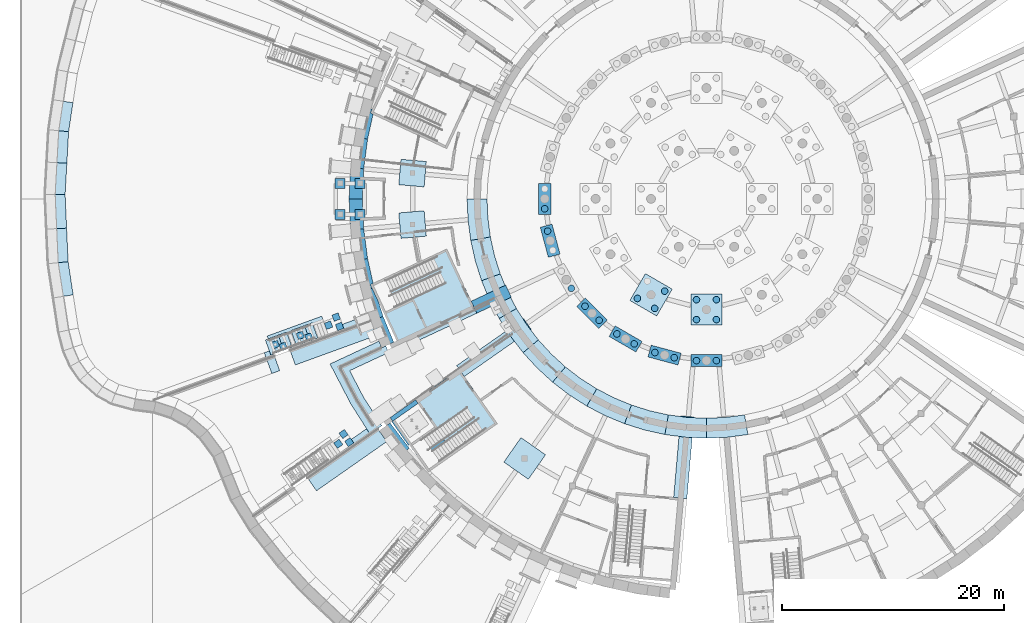
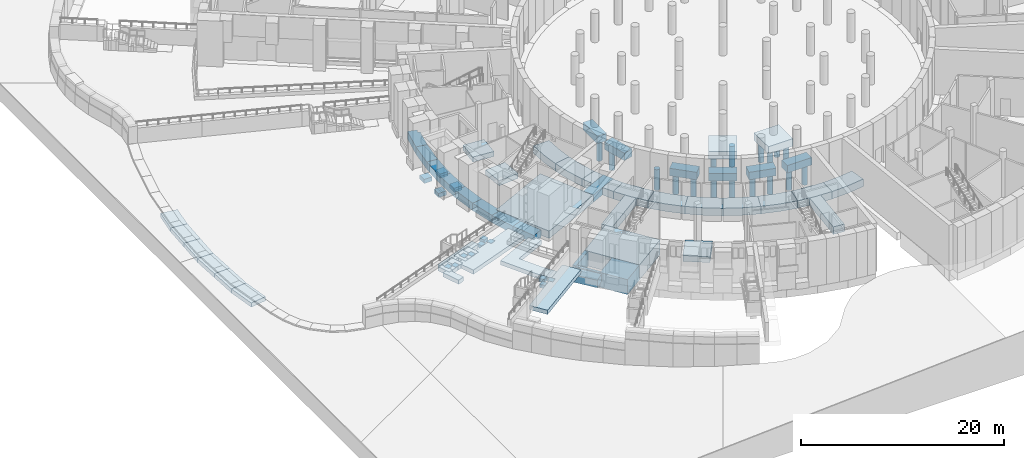
# One storey, part 2 of 65: 69 footings, 18 piles.
"""IFC4 building model written with IfcOpenShell, lengths in metres."""

from ifc_helpers import new_model, si_unit, direction, frame, origin, origin_2d, place, context, subcontext, project, spatial, polyline, rectangle, circle, outline, extrude, material, type_object, element, save


model = new_model("IFC4")

# Units and contexts
model_context = context("Model", 3, precision=1e-05, world=origin(), true_north=direction((0.0, 1.0)))
body_context = subcontext(model_context, "Body", "Model", "MODEL_VIEW")
ifc_project = project(units=[si_unit("LENGTHUNIT", "METRE"), si_unit("AREAUNIT", "SQUARE_METRE"), si_unit("VOLUMEUNIT", "CUBIC_METRE"), si_unit("PLANEANGLEUNIT", "RADIAN"), si_unit("MASSUNIT", "GRAM", prefix="KILO")], contexts=[model_context])

# Site, building, storey
site_placement = place(None, origin())
site = spatial("IfcSite", under=ifc_project, at=site_placement, CompositionType="ELEMENT")
building_placement = place(site_placement, origin())
building = spatial("IfcBuilding", under=site, at=building_placement, Name="Volute Hill Aquarium", CompositionType="ELEMENT")
storey_placement = place(building_placement, frame((0.0, 0.0, -5.5)))
storey = spatial("IfcBuildingStorey", under=building, at=storey_placement, Name="L00", CompositionType="ELEMENT", Elevation=-5.5)

# Piles
ifc_material_1 = material(Name="Concrete C30/37", Category="concrete")
pile_type = type_object("IfcPileType", Name="Bored pile 600 C30/37 L2500", PredefinedType="BORED", material=ifc_material_1)
for number, where, z_axis, x_axis, name in (
    (1, (-6.2294921875, -8.98974609375, -1.10009765625), (0.0, 0.0, -1.0), (1.0, 0.0, 0.0), "pl/DR/L00/c2.8.1"),
    (2, (-3.7705078125, -8.330810546875, -1.10009765625), (0.0, 0.0, -1.0), (1.0, 0.0, 0.0), "pl/DR/L00/c2.8.2"),
    (3, (-4.670654296875, -9.8896484375, -1.10009765625), (0.0, 0.0, -1.0), (1.0, 0.0, 0.0), "pl/DR/L00/c2.8.3"),
    (4, (-0.89990234375, -9.10009765625, -1.10009765625), (0.0, 0.0, -1.0), (1.0, 0.0, 0.0), "pl/DR/L00/c2.9.0"),
    (5, (-0.89990234375, -10.89990234375, -1.10009765625), (0.0, 0.0, -1.0), (1.0, 0.0, 0.0), "pl/DR/L00/c2.9.1"),
    (6, (0.89990234375, -9.10009765625, -1.10009765625), (0.0, 0.0, -1.0), (1.0, 0.0, 0.0), "pl/DR/L00/c2.9.2"),
    (7, (0.89990234375, -10.89990234375, -1.10009765625), (0.0, 0.0, -1.0), (1.0, 0.0, 0.0), "pl/DR/L00/c2.9.3"),
    (8, (-14.60009765625, -0.89990234375, -1.10009765625), (0.0, 0.0, -1.0), (1.0, 0.0, 0.0), "pl/DR/L00/c3.12.1"),
    (9, (-14.33544921875, -2.909423828125, -1.10009765625), (0.0, 0.0, -1.0), (1.0, 0.0, 0.0), "pl/DR/L00/c3.13.0"),
    (10, (-12.194091796875, -8.079345703125, -1.10009765625), (0.0, 0.0, -1.0), (1.0, 0.0, 0.0), "pl/DR/L00/c3.14.1"),
    (11, (-10.960205078125, -9.6875, -1.10009765625), (0.0, 0.0, -1.0), (1.0, 0.0, 0.0), "pl/DR/L00/c3.15.0"),
    (12, (-9.6875, -10.960205078125, -1.10009765625), (0.0, 0.0, -1.0), (1.0, 0.0, 0.0), "pl/DR/L00/c3.15.1"),
    (13, (-8.079345703125, -12.194091796875, -1.10009765625), (0.0, 0.0, -1.0), (1.0, 0.0, 0.0), "pl/DR/L00/c3.16.0"),
    (14, (-6.5205078125, -13.093994140625, -1.10009765625), (0.0, 0.0, -1.0), (1.0, 0.0, 0.0), "pl/DR/L00/c3.16.1"),
    (15, (-4.648193359375, -13.86962890625, -1.10009765625), (0.0, 0.0, -1.0), (1.0, 0.0, 0.0), "pl/DR/L00/c3.17.0"),
    (16, (-2.909423828125, -14.33544921875, -1.10009765625), (0.0, 0.0, -1.0), (1.0, 0.0, 0.0), "pl/DR/L00/c3.17.1"),
    (17, (-0.89990234375, -14.60009765625, -1.10009765625), (0.0, 0.0, -1.0), (1.0, 0.0, 0.0), "pl/DR/L00/c3.18.0"),
    (18, (0.89990234375, -14.60009765625, -1.10009765625), (0.0, 0.0, -1.0), (1.0, 0.0, 0.0), "pl/DR/L00/c3.18.1"),
):
    element("IfcPile", number, at=place(storey_placement, frame(where, z_axis=z_axis, x_axis=x_axis)), inside=storey, type_object=pile_type, Name=name, PredefinedType="BORED", context=body_context, shape_type="SweptSolid", body=[
        extrude(circle(Radius=0.300048828125, at=origin_2d()), origin(), (0.0, 0.0, 1.0), 2.5),
    ])

# Footings
ifc_material_2 = material(Name="Concrete C30/37", Category="concrete")
footing_type_1 = type_object("IfcFootingType", Name="Canopy pad footing 900", PredefinedType="PAD_FOOTING", material=ifc_material_2)
for number, where, z_axis, x_axis, name in (
    (19, (-31.25, 1.39990234375, -1.0), (0.0, 0.0, 1.0), (-1.0, 0.0, 0.0), "cn/S1/L00/f0.0"),
    (20, (-33.050048828125, 1.39990234375, -1.0), (0.0, 0.0, 1.0), (-1.0, 0.0, 0.0), "cn/S1/L00/f0.1"),
    (21, (-31.25, -1.39990234375, -1.0), (0.0, 0.0, 1.0), (-1.0, 0.0, 0.0), "cn/S1/L00/f1.0"),
    (22, (-33.050048828125, -1.39990234375, -1.0), (0.0, 0.0, 1.0), (-1.0, 0.0, 0.0), "cn/S1/L00/f1.1"),
):
    element("IfcFooting", number, at=place(storey_placement, frame(where, z_axis=z_axis, x_axis=x_axis)), inside=storey, type_object=footing_type_1, Name=name, PredefinedType="PAD_FOOTING", context=body_context, shape_type="SweptSolid", body=[
        extrude(rectangle(XDim=0.89990234375, YDim=0.89990234375, at=origin_2d()), origin(), (0.0, 0.0, 1.0), 0.5),
    ])
ifc_material_3 = material(Name="Concrete C30/37", Category="concrete")
footing_type_2 = type_object("IfcFootingType", Name="Core raft footing 900 C30/37", PredefinedType="PAD_FOOTING", material=ifc_material_3)
footing_1_placement = place(storey_placement, frame((0.0, 0.0, -0.89990234375)))
element("IfcFooting", 23, at=footing_1_placement, inside=storey, type_object=footing_type_2, Name="ft/S1/L00/raftB", PredefinedType="PAD_FOOTING", context=body_context, shape_type="SweptSolid", body=[
    extrude(outline(polyline([(-27.615478515625, -13.539306640625), (-28.12255859375, -12.45166015625), (-28.12255859375, -12.45166015625), (-30.3203125, -7.739013671875), (-23.43212890625, -4.527099609375), (-21.0654296875, -9.602294921875), (-21.0654296875, -9.602294921875), (-20.7275390625, -10.327392578125), (-27.615478515625, -13.539306640625)])), origin(), (0.0, 0.0, 1.0), 0.89990234375),
])
ifc_material_4 = material(Name="Concrete C30/37", Category="concrete")
footing_type_3 = type_object("IfcFootingType", Name="Drum wall strip footing 1800", PredefinedType="STRIP_FOOTING", material=ifc_material_4)
footing_2_placement = place(storey_placement, frame((0.0, 0.0, -0.89990234375)))
element("IfcFooting", 24, at=footing_2_placement, inside=storey, type_object=footing_type_3, Name="ft/DR/L00/s18", PredefinedType="STRIP_FOOTING", context=body_context, shape_type="SweptSolid", body=[
    extrude(outline(polyline([(-21.60009765625, 0.0), (-21.517822265625, -1.882568359375), (-21.271728515625, -3.750732421875), (-19.499267578125, -3.438232421875), (-19.724609375, -1.7255859375), (-19.800048828125, 0.0), (-21.60009765625, 0.0)])), origin(), (0.0, 0.0, 1.0), 0.89990234375),
])
footing_3_placement = place(storey_placement, frame((0.0, 0.0, -0.89990234375)))
element("IfcFooting", 25, at=footing_3_placement, inside=storey, type_object=footing_type_3, Name="ft/DR/L00/s19", PredefinedType="STRIP_FOOTING", context=body_context, shape_type="SweptSolid", body=[
    extrude(outline(polyline([(-21.271728515625, -3.750732421875), (-20.864013671875, -5.590576171875), (-20.29736328125, -7.3876953125), (-18.60595703125, -6.77197265625), (-19.125244140625, -5.12451171875), (-19.499267578125, -3.438232421875), (-21.271728515625, -3.750732421875)])), origin(), (0.0, 0.0, 1.0), 0.89990234375),
])
footing_4_placement = place(storey_placement, frame((0.0, 0.0, -0.89990234375)))
element("IfcFooting", 26, at=footing_4_placement, inside=storey, type_object=footing_type_3, Name="ft/DR/L00/s20", PredefinedType="STRIP_FOOTING", context=body_context, shape_type="SweptSolid", body=[
    extrude(outline(polyline([(-20.29736328125, -7.3876953125), (-19.576171875, -9.128662109375), (-18.7060546875, -10.800048828125), (-17.147216796875, -9.89990234375), (-17.94482421875, -8.367919921875), (-18.60595703125, -6.77197265625), (-20.29736328125, -7.3876953125)])), origin(), (0.0, 0.0, 1.0), 0.89990234375),
])
footing_5_placement = place(storey_placement, frame((0.0, 0.0, -0.89990234375)))
element("IfcFooting", 27, at=footing_5_placement, inside=storey, type_object=footing_type_3, Name="ft/DR/L00/s21", PredefinedType="STRIP_FOOTING", context=body_context, shape_type="SweptSolid", body=[
    extrude(outline(polyline([(-18.7060546875, -10.800048828125), (-17.693603515625, -12.389404296875), (-16.546630859375, -13.88427734375), (-15.167724609375, -12.727294921875), (-16.21923828125, -11.356689453125), (-17.147216796875, -9.89990234375), (-18.7060546875, -10.800048828125)])), origin(), (0.0, 0.0, 1.0), 0.89990234375),
])
footing_6_placement = place(storey_placement, frame((0.0, 0.0, -0.89990234375)))
element("IfcFooting", 28, at=footing_6_placement, inside=storey, type_object=footing_type_3, Name="ft/DR/L00/s22", PredefinedType="STRIP_FOOTING", context=body_context, shape_type="SweptSolid", body=[
    extrude(outline(polyline([(-16.546630859375, -13.88427734375), (-15.2734375, -15.2734375), (-13.88427734375, -16.546630859375), (-12.727294921875, -15.167724609375), (-14.000732421875, -14.000732421875), (-15.167724609375, -12.727294921875), (-16.546630859375, -13.88427734375)])), origin(), (0.0, 0.0, 1.0), 0.89990234375),
])
footing_7_placement = place(storey_placement, frame((0.0, 0.0, -0.89990234375)))
element("IfcFooting", 29, at=footing_7_placement, inside=storey, type_object=footing_type_3, Name="ft/DR/L00/s23", PredefinedType="STRIP_FOOTING", context=body_context, shape_type="SweptSolid", body=[
    extrude(outline(polyline([(-13.88427734375, -16.546630859375), (-12.389404296875, -17.693603515625), (-10.800048828125, -18.7060546875), (-9.89990234375, -17.147216796875), (-11.356689453125, -16.21923828125), (-12.727294921875, -15.167724609375), (-13.88427734375, -16.546630859375)])), origin(), (0.0, 0.0, 1.0), 0.89990234375),
])
footing_8_placement = place(storey_placement, frame((0.0, 0.0, -0.89990234375)))
element("IfcFooting", 30, at=footing_8_placement, inside=storey, type_object=footing_type_3, Name="ft/DR/L00/s24", PredefinedType="STRIP_FOOTING", context=body_context, shape_type="SweptSolid", body=[
    extrude(outline(polyline([(-10.800048828125, -18.7060546875), (-9.128662109375, -19.576171875), (-7.3876953125, -20.29736328125), (-6.77197265625, -18.60595703125), (-8.367919921875, -17.94482421875), (-9.89990234375, -17.147216796875), (-10.800048828125, -18.7060546875)])), origin(), (0.0, 0.0, 1.0), 0.89990234375),
])
footing_9_placement = place(storey_placement, frame((0.0, 0.0, -0.89990234375)))
element("IfcFooting", 31, at=footing_9_placement, inside=storey, type_object=footing_type_3, Name="ft/DR/L00/s25", PredefinedType="STRIP_FOOTING", context=body_context, shape_type="SweptSolid", body=[
    extrude(outline(polyline([(-7.3876953125, -20.29736328125), (-5.590576171875, -20.864013671875), (-3.750732421875, -21.271728515625), (-3.438232421875, -19.499267578125), (-5.12451171875, -19.125244140625), (-6.77197265625, -18.60595703125), (-7.3876953125, -20.29736328125)])), origin(), (0.0, 0.0, 1.0), 0.89990234375),
])
footing_10_placement = place(storey_placement, frame((0.0, 0.0, -0.89990234375)))
element("IfcFooting", 32, at=footing_10_placement, inside=storey, type_object=footing_type_3, Name="ft/DR/L00/s26", PredefinedType="STRIP_FOOTING", context=body_context, shape_type="SweptSolid", body=[
    extrude(outline(polyline([(-3.750732421875, -21.271728515625), (-1.882568359375, -21.517822265625), (0.0, -21.60009765625), (0.0, -19.800048828125), (-1.7255859375, -19.724609375), (-3.438232421875, -19.499267578125), (-3.750732421875, -21.271728515625)])), origin(), (0.0, 0.0, 1.0), 0.89990234375),
])
footing_11_placement = place(storey_placement, frame((0.0, 0.0, -0.89990234375)))
element("IfcFooting", 33, at=footing_11_placement, inside=storey, type_object=footing_type_3, Name="ft/DR/L00/s27", PredefinedType="STRIP_FOOTING", context=body_context, shape_type="SweptSolid", body=[
    extrude(outline(polyline([(0.0, -21.60009765625), (1.882568359375, -21.517822265625), (3.750732421875, -21.271728515625), (3.438232421875, -19.499267578125), (1.7255859375, -19.724609375), (0.0, -19.800048828125), (0.0, -21.60009765625)])), origin(), (0.0, 0.0, 1.0), 0.89990234375),
])
ifc_material_5 = material(Name="Concrete C30/37", Category="concrete")
footing_type_4 = type_object("IfcFootingType", Name="Lift core raft footing 1800 C30/37", PredefinedType="PAD_FOOTING", material=ifc_material_5)
footing_12_placement = place(storey_placement, frame((0.0, 0.0, -1.800048828125)))
element("IfcFooting", 34, at=footing_12_placement, inside=storey, type_object=footing_type_4, Name="ft/S2/L00/raftA1", PredefinedType="PAD_FOOTING", context=body_context, shape_type="SweptSolid", body=[
    extrude(outline(polyline([(-22.313720703125, -15.380126953125), (-26.24560546875, -18.13330078125), (-22.80419921875, -23.048095703125), (-18.872314453125, -20.294921875), (-22.313720703125, -15.380126953125)])), origin(), (0.0, 0.0, 1.0), 1.800048828125),
])
footing_13_placement = place(storey_placement, frame((0.0, 0.0, -1.800048828125)))
element("IfcFooting", 35, at=footing_13_placement, inside=storey, type_object=footing_type_4, Name="ft/S2/L00/raftA2", PredefinedType="PAD_FOOTING", context=body_context, shape_type="SweptSolid", body=[
    extrude(outline(polyline([(-24.52490234375, -20.5908203125), (-26.818603515625, -22.19677734375), (-25.097900390625, -24.654296875), (-22.80419921875, -23.048095703125), (-24.52490234375, -20.5908203125)])), origin(), (0.0, 0.0, 1.0), 1.800048828125),
])
footing_14_placement = place(storey_placement, frame((0.0, 0.0, -1.800048828125)))
element("IfcFooting", 36, at=footing_14_placement, inside=storey, type_object=footing_type_4, Name="ft/S2/L00/raftA3", PredefinedType="PAD_FOOTING", context=body_context, shape_type="SweptSolid", body=[
    extrude(outline(polyline([(-26.24560546875, -18.13330078125), (-28.539306640625, -19.7392578125), (-28.309814453125, -20.06689453125), (-26.01611328125, -18.4609375), (-26.24560546875, -18.13330078125)])), origin(), (0.0, 0.0, 1.0), 1.800048828125),
])
footing_15_placement = place(storey_placement, frame((0.0, 0.0, -1.800048828125)))
element("IfcFooting", 37, at=footing_15_placement, inside=storey, type_object=footing_type_4, Name="ft/S2/L00/raftA4", PredefinedType="PAD_FOOTING", context=body_context, shape_type="SweptSolid", body=[
    extrude(outline(polyline([(-28.14599609375, -19.9521484375), (-28.391845703125, -20.124267578125), (-26.900390625, -22.254150390625), (-26.65478515625, -22.08203125), (-28.14599609375, -19.9521484375)])), origin(), (0.0, 0.0, 1.0), 1.800048828125),
])
ifc_material_6 = material(Name="Concrete C30/37", Category="concrete")
footing_type_5 = type_object("IfcFootingType", Name="Outer wall strip footing 1200x900 C30/37", PredefinedType="STRIP_FOOTING", material=ifc_material_6)
footing_16_placement = place(storey_placement, frame((0.0, 0.0, -0.89990234375)))
element("IfcFooting", 38, at=footing_16_placement, inside=storey, type_object=footing_type_5, Name="ft/S1/L00/outer2", PredefinedType="STRIP_FOOTING", context=body_context, shape_type="SweptSolid", body=[
    extrude(outline(polyline([(-31.760009765625, 5.60009765625), (-31.151123046875, 8.346923828125), (-30.160400390625, 8.081298828125), (-30.3203125, 7.739013671875), (-30.08251953125, 7.628173828125), (-30.578369140625, 5.391845703125), (-31.760009765625, 5.60009765625)])), origin(), (0.0, 0.0, 1.0), 0.89990234375),
])
footing_17_placement = place(storey_placement, frame((0.0, 0.0, -0.89990234375)))
element("IfcFooting", 39, at=footing_17_placement, inside=storey, type_object=footing_type_5, Name="ft/S1/L00/outer3", PredefinedType="STRIP_FOOTING", context=body_context, shape_type="SweptSolid", body=[
    extrude(outline(polyline([(-32.127197265625, 2.810791015625), (-31.760009765625, 5.60009765625), (-30.578369140625, 5.391845703125), (-30.931884765625, 2.706298828125), (-32.127197265625, 2.810791015625)])), origin(), (0.0, 0.0, 1.0), 0.89990234375),
])
footing_18_placement = place(storey_placement, frame((0.0, 0.0, -0.89990234375)))
element("IfcFooting", 40, at=footing_18_placement, inside=storey, type_object=footing_type_5, Name="ft/S1/L00/outer4", PredefinedType="STRIP_FOOTING", context=body_context, shape_type="SweptSolid", body=[
    extrude(outline(polyline([(-32.25, 0.0), (-32.127197265625, 2.810791015625), (-30.931884765625, 2.706298828125), (-31.050048828125, 0.0), (-32.25, 0.0)])), origin(), (0.0, 0.0, 1.0), 0.89990234375),
])
footing_19_placement = place(storey_placement, frame((0.0, 0.0, -0.89990234375)))
element("IfcFooting", 41, at=footing_19_placement, inside=storey, type_object=footing_type_5, Name="ft/S1/L00/outer5", PredefinedType="STRIP_FOOTING", context=body_context, shape_type="SweptSolid", body=[
    extrude(outline(polyline([(-32.127197265625, -2.810791015625), (-32.25, 0.0), (-31.050048828125, 0.0), (-30.931884765625, -2.706298828125), (-32.127197265625, -2.810791015625)])), origin(), (0.0, 0.0, 1.0), 0.89990234375),
])
footing_20_placement = place(storey_placement, frame((0.0, 0.0, -0.89990234375)))
element("IfcFooting", 42, at=footing_20_placement, inside=storey, type_object=footing_type_5, Name="ft/S1/L00/outer6", PredefinedType="STRIP_FOOTING", context=body_context, shape_type="SweptSolid", body=[
    extrude(outline(polyline([(-31.760009765625, -5.60009765625), (-32.127197265625, -2.810791015625), (-30.931884765625, -2.706298828125), (-30.578369140625, -5.391845703125), (-31.760009765625, -5.60009765625)])), origin(), (0.0, 0.0, 1.0), 0.89990234375),
])
footing_21_placement = place(storey_placement, frame((0.0, 0.0, -0.89990234375)))
element("IfcFooting", 43, at=footing_21_placement, inside=storey, type_object=footing_type_5, Name="ft/S1/L00/outer7", PredefinedType="STRIP_FOOTING", context=body_context, shape_type="SweptSolid", body=[
    extrude(outline(polyline([(-31.151123046875, -8.346923828125), (-31.760009765625, -5.60009765625), (-30.578369140625, -5.391845703125), (-30.08251953125, -7.628173828125), (-30.3203125, -7.739013671875), (-30.160400390625, -8.081298828125), (-31.151123046875, -8.346923828125)])), origin(), (0.0, 0.0, 1.0), 0.89990234375),
])
footing_22_placement = place(storey_placement, frame((0.0, 0.0, -0.89990234375)))
element("IfcFooting", 44, at=footing_22_placement, inside=storey, type_object=footing_type_5, Name="ft/S1/L00/outer8", PredefinedType="STRIP_FOOTING", context=body_context, shape_type="SweptSolid", body=[
    extrude(outline(polyline([(-30.30517578125, -11.030029296875), (-31.151123046875, -8.346923828125), (-30.160400390625, -8.081298828125), (-29.596435546875, -9.291015625), (-29.177490234375, -10.61962890625), (-30.30517578125, -11.030029296875)])), origin(), (0.0, 0.0, 1.0), 0.89990234375),
])
footing_23_placement = place(storey_placement, frame((0.0, 0.0, -0.89990234375)))
element("IfcFooting", 45, at=footing_23_placement, inside=storey, type_object=footing_type_5, Name="ft/S1/L00/outer9", PredefinedType="STRIP_FOOTING", context=body_context, shape_type="SweptSolid", body=[
    extrude(outline(polyline([(-29.177490234375, -10.61962890625), (-28.217529296875, -12.9375), (-29.304931640625, -13.444580078125), (-30.30517578125, -11.030029296875), (-29.177490234375, -10.61962890625)])), origin(), (0.0, 0.0, 1.0), 0.89990234375),
])
footing_24_placement = place(storey_placement, frame((0.0, 0.0, -0.89990234375)))
element("IfcFooting", 46, at=footing_24_placement, inside=storey, type_object=footing_type_5, Name="ft/S2/L00/outer0", PredefinedType="STRIP_FOOTING", context=body_context, shape_type="SweptSolid", body=[
    extrude(outline(polyline([(-27.730712890625, -23.268798828125), (-29.531494140625, -20.92236328125), (-28.548583984375, -20.23388671875), (-26.8115234375, -22.49755859375), (-27.730712890625, -23.268798828125)])), origin(), (0.0, 0.0, 1.0), 0.89990234375),
])
ifc_material_7 = material(Name="Concrete C30/37", Category="concrete")
footing_type_6 = type_object("IfcFootingType", Name="Pad footing 2300x2300x600 C30/37", PredefinedType="PAD_FOOTING", material=ifc_material_7)
footing_25_placement = place(storey_placement, frame((0.0, 0.0, -0.60009765625)))
element("IfcFooting", 47, at=footing_25_placement, inside=storey, type_object=footing_type_6, Name="ft/S1/L00/pad1.2", PredefinedType="PAD_FOOTING", context=body_context, shape_type="SweptSolid", body=[
    extrude(outline(polyline([(-25.27783203125, 3.365966796875), (-27.569091796875, 3.56640625), (-27.76953125, 1.275146484375), (-25.478271484375, 1.07470703125), (-25.27783203125, 3.365966796875)])), origin(), (0.0, 0.0, 1.0), 0.60009765625),
])
footing_26_placement = place(storey_placement, frame((0.0, 0.0, -0.60009765625)))
element("IfcFooting", 48, at=footing_26_placement, inside=storey, type_object=footing_type_6, Name="ft/S1/L00/pad1.3", PredefinedType="PAD_FOOTING", context=body_context, shape_type="SweptSolid", body=[
    extrude(outline(polyline([(-25.478271484375, -1.07470703125), (-27.76953125, -1.275146484375), (-27.569091796875, -3.56640625), (-25.27783203125, -3.365966796875), (-25.478271484375, -1.07470703125)])), origin(), (0.0, 0.0, 1.0), 0.60009765625),
])
ifc_material_8 = material(Name="Concrete C30/37", Category="concrete")
footing_type_7 = type_object("IfcFootingType", Name="Pad footing 2700x2700x700 C30/37", PredefinedType="PAD_FOOTING", material=ifc_material_8)
footing_27_placement = place(storey_placement, frame((0.0, 0.0, -0.699951171875)))
element("IfcFooting", 49, at=footing_27_placement, inside=storey, type_object=footing_type_7, Name="ft/S2/L00/pad1.2", PredefinedType="PAD_FOOTING", context=body_context, shape_type="SweptSolid", body=[
    extrude(outline(polyline([(-16.73583984375, -21.547607421875), (-18.284423828125, -23.75927734375), (-16.07275390625, -25.307861328125), (-14.524169921875, -23.09619140625), (-16.73583984375, -21.547607421875)])), origin(), (0.0, 0.0, 1.0), 0.699951171875),
])
ifc_material_9 = material(Name="Concrete C30/37", Category="concrete")
footing_type_8 = type_object("IfcFootingType", Name="Retaining wall footing C30/37 2000", PredefinedType="STRIP_FOOTING", material=ifc_material_9)
footing_28_placement = place(storey_placement, frame((-33.804931640625, -12.7294921875, -1.0), z_axis=(0.0, 0.0, 1.0), x_axis=(-0.939692620786, -0.342020143326, 0.0)))
element("IfcFooting", 50, at=footing_28_placement, inside=storey, type_object=footing_type_8, Name="ft/RW200/L00/0", PredefinedType="STRIP_FOOTING", context=body_context, shape_type="SweptSolid", body=[
    extrude(rectangle(XDim=7.739990234375, YDim=2.0, at=origin_2d()), origin(), (0.0, 0.0, 1.0), 0.5),
])
footing_29_placement = place(storey_placement, frame((-39.2080078125, -14.6962890625, -1.0), z_axis=(0.0, 0.0, 1.0), x_axis=(-0.939692620786, -0.342020143326, 0.0)))
element("IfcFooting", 51, at=footing_29_placement, inside=storey, type_object=footing_type_8, Name="ft/RW200/L00/1", PredefinedType="STRIP_FOOTING", context=body_context, shape_type="SweptSolid", body=[
    extrude(rectangle(XDim=0.760009765625, YDim=2.0, at=origin_2d()), origin(), (0.0, 0.0, 1.0), 0.5),
])
footing_30_placement = place(storey_placement, frame((-32.593994140625, -23.310791015625, 0.375), z_axis=(0.0, 0.0, 1.0), x_axis=(-0.819152044289, -0.573576436351, 0.0)))
element("IfcFooting", 52, at=footing_30_placement, inside=storey, type_object=footing_type_8, Name="ft/RW215/L00/0", PredefinedType="STRIP_FOOTING", context=body_context, shape_type="SweptSolid", body=[
    extrude(rectangle(XDim=7.739990234375, YDim=2.0, at=origin_2d()), origin(), (0.0, 0.0, 1.0), 0.5),
])
ifc_material_10 = material(Name="Concrete C30/37", Category="concrete")
footing_type_9 = type_object("IfcFootingType", Name="Site edge wall footing C30/37 1800", PredefinedType="STRIP_FOOTING", material=ifc_material_10)
footing_31_placement = place(storey_placement, frame((0.0, 0.0, -1.0)))
element("IfcFooting", 53, at=footing_31_placement, inside=storey, type_object=footing_type_9, Name="ft/RWCFB10.0/L00/0", PredefinedType="STRIP_FOOTING", context=body_context, shape_type="SweptSolid", body=[
    extrude(outline(polyline([(-29.191162109375, -12.67431640625), (-33.97216796875, -14.903564453125), (-32.0869140625, -18.525390625), (-30.396728515625, -21.178466796875), (-29.30029296875, -20.480224609375), (-30.9599609375, -17.875), (-32.192138671875, -15.508056640625), (-28.69287109375, -13.87646484375), (-29.191162109375, -12.67431640625)])), origin(), (0.0, 0.0, 1.0), 0.5),
])
footing_32_placement = place(storey_placement, frame((0.0, 0.0, -1.0)))
element("IfcFooting", 54, at=footing_32_placement, inside=storey, type_object=footing_type_9, Name="ft/RWE/95.1", PredefinedType="STRIP_FOOTING", context=body_context, shape_type="SweptSolid", body=[
    extrude(outline(polyline([(-58.948974609375, 8.941650390625), (-59.354736328125, 6.239013671875), (-57.56201171875, 6.054931640625), (-57.56201171875, 6.054931640625), (-57.1689453125, 8.674560546875), (-58.948974609375, 8.941650390625)])), origin(), (0.0, 0.0, 1.0), 0.5),
])
footing_33_placement = place(storey_placement, frame((0.0, 0.0, -1.0)))
element("IfcFooting", 55, at=footing_33_placement, inside=storey, type_object=footing_type_9, Name="ft/RWE/96.0", PredefinedType="STRIP_FOOTING", context=body_context, shape_type="SweptSolid", body=[
    extrude(outline(polyline([(-59.354736328125, 6.239013671875), (-59.517578125, 3.31591796875), (-57.72021484375, 3.2158203125), (-57.56201171875, 6.054931640625), (-59.354736328125, 6.239013671875), (-59.354736328125, 6.239013671875)])), origin(), (0.0, 0.0, 1.0), 0.5),
])
footing_34_placement = place(storey_placement, frame((0.0, 0.0, -1.0)))
element("IfcFooting", 56, at=footing_34_placement, inside=storey, type_object=footing_type_9, Name="ft/RWE/96.1", PredefinedType="STRIP_FOOTING", context=body_context, shape_type="SweptSolid", body=[
    extrude(outline(polyline([(-59.517578125, 3.31591796875), (-59.680419921875, 0.39111328125), (-57.878173828125, 0.381103515625), (-57.878173828125, 0.381103515625), (-57.72021484375, 3.2158203125), (-59.517578125, 3.31591796875)])), origin(), (0.0, 0.0, 1.0), 0.5),
])
footing_35_placement = place(storey_placement, frame((0.0, 0.0, -1.0)))
element("IfcFooting", 57, at=footing_35_placement, inside=storey, type_object=footing_type_9, Name="ft/RWE/97.0", PredefinedType="STRIP_FOOTING", context=body_context, shape_type="SweptSolid", body=[
    extrude(outline(polyline([(-59.680419921875, 0.39111328125), (-59.54150390625, -2.728759765625), (-57.7431640625, -2.648681640625), (-57.878173828125, 0.381103515625), (-59.680419921875, 0.39111328125), (-59.680419921875, 0.39111328125)])), origin(), (0.0, 0.0, 1.0), 0.5),
])
footing_36_placement = place(storey_placement, frame((0.0, 0.0, -1.0)))
element("IfcFooting", 58, at=footing_36_placement, inside=storey, type_object=footing_type_9, Name="ft/RWE/97.1", PredefinedType="STRIP_FOOTING", context=body_context, shape_type="SweptSolid", body=[
    extrude(outline(polyline([(-59.402587890625, -5.850341796875), (-59.402587890625, -5.850341796875), (-57.608642578125, -5.673583984375), (-57.7431640625, -2.648681640625), (-59.54150390625, -2.728759765625), (-59.402587890625, -5.850341796875)])), origin(), (0.0, 0.0, 1.0), 0.5),
])
footing_37_placement = place(storey_placement, frame((0.0, 0.0, -1.0)))
element("IfcFooting", 59, at=footing_37_placement, inside=storey, type_object=footing_type_9, Name="ft/RWE/98.0", PredefinedType="STRIP_FOOTING", context=body_context, shape_type="SweptSolid", body=[
    extrude(outline(polyline([(-59.402587890625, -5.850341796875), (-58.929931640625, -8.9384765625), (-57.150634765625, -8.666259765625), (-57.608642578125, -5.673583984375), (-57.608642578125, -5.673583984375), (-59.402587890625, -5.850341796875)])), origin(), (0.0, 0.0, 1.0), 0.5),
])
ifc_material_11 = material(Name="Concrete C30/37", Category="concrete")
footing_type_10 = type_object("IfcFootingType", Name="Stair foot pad footing C30/37 600", PredefinedType="PAD_FOOTING", material=ifc_material_11)
for number, where, z_axis, x_axis, name in (
    (60, (-33.107177734375, -11.51806640625, -0.89990234375), (0.0, 0.0, 1.0), (-0.939692620786, -0.342020143326, 0.0), "ft/ST200/L00/p0"),
    (61, (-33.4150390625, -10.672119140625, -0.89990234375), (0.0, 0.0, 1.0), (-0.939692620786, -0.342020143326, 0.0), "ft/ST200/L00/p1"),
    (62, (-34.10693359375, -11.40283203125, -0.89990234375), (0.0, 0.0, 1.0), (-0.939692620786, -0.342020143326, 0.0), "ft/ST200/L00/p2"),
    (63, (-35.877685546875, -12.47314453125, -0.89990234375), (0.0, 0.0, 1.0), (-0.939692620786, -0.342020143326, 0.0), "ft/ST200/L00/q0"),
    (64, (-36.648681640625, -12.328125, -0.89990234375), (0.0, 0.0, 1.0), (-0.939692620786, -0.342020143326, 0.0), "ft/ST200/L00/q1"),
    (65, (-38.189208984375, -13.314453125, -0.89990234375), (0.0, 0.0, 1.0), (-0.939692620786, -0.342020143326, 0.0), "ft/ST200/L00/q2"),
    (66, (-38.90869140625, -13.150634765625, -0.89990234375), (0.0, 0.0, 1.0), (-0.939692620786, -0.342020143326, 0.0), "ft/ST200/L00/q3"),
    (67, (-32.233642578125, -21.9599609375, 0.47509765625), (0.0, 0.0, 1.0), (-0.819152044289, -0.573576436351, 0.0), "ft/ST215/L00/p0"),
    (68, (-32.75, -21.22265625, 0.47509765625), (0.0, 0.0, 1.0), (-0.819152044289, -0.573576436351, 0.0), "ft/ST215/L00/p1"),
    (69, (-33.22900390625, -22.107421875, 0.47509765625), (0.0, 0.0, 1.0), (-0.819152044289, -0.573576436351, 0.0), "ft/ST215/L00/p2"),
):
    element("IfcFooting", number, at=place(storey_placement, frame(where, z_axis=z_axis, x_axis=x_axis)), inside=storey, type_object=footing_type_10, Name=name, PredefinedType="PAD_FOOTING", context=body_context, shape_type="SweptSolid", body=[
        extrude(rectangle(XDim=0.60009765625, YDim=0.60009765625, at=origin_2d()), origin(), (0.0, 0.0, 1.0), 0.39990234375),
    ])
ifc_material_12 = material(Name="Concrete C30/37", Category="concrete")
footing_type_11 = type_object("IfcFootingType", Name="Stair string wall footing C30/37 800", PredefinedType="STRIP_FOOTING", material=ifc_material_12)
footing_38_placement = place(storey_placement, frame((-37.04736328125, -11.861328125, -1.0), z_axis=(0.0, 0.0, 1.0), x_axis=(-0.939692620786, -0.342020143326, 0.0)))
element("IfcFooting", 70, at=footing_38_placement, inside=storey, type_object=footing_type_11, Name="ft/ST200/L00/1", PredefinedType="STRIP_FOOTING", context=body_context, shape_type="SweptSolid", body=[
    extrude(rectangle(XDim=5.239990234375, YDim=0.800048828125, at=origin_2d()), origin(), (0.0, 0.0, 1.0), 0.5),
])
for number, where, z_axis, x_axis, name in (
    (71, (-35.700439453125, -12.009521484375, -1.0), (0.0, 0.0, 1.0), (0.342020143326, -0.939692620786, 0.0), "ft/ST200/L00/xa"),
    (72, (-36.875, -12.43701171875, -1.0), (0.0, 0.0, 1.0), (0.342020143326, -0.939692620786, 0.0), "ft/ST200/L00/xb"),
    (73, (-38.01220703125, -12.850830078125, -1.0), (0.0, 0.0, 1.0), (0.342020143326, -0.939692620786, 0.0), "ft/ST200/L00/xc"),
    (74, (-39.186767578125, -13.2783203125, -1.0), (0.0, 0.0, 1.0), (0.342020143326, -0.939692620786, 0.0), "ft/ST200/L00/xd"),
    (75, (-36.4052734375, -12.26611328125, -1.0), (0.0, 0.0, 1.0), (0.342020143326, -0.939692620786, 0.0), "ft/ST200/L00/xe"),
    (76, (-38.716796875, -13.107421875, -1.0), (0.0, 0.0, 1.0), (0.342020143326, -0.939692620786, 0.0), "ft/ST200/L00/xf"),
):
    element("IfcFooting", number, at=place(storey_placement, frame(where, z_axis=z_axis, x_axis=x_axis)), inside=storey, type_object=footing_type_11, Name=name, PredefinedType="STRIP_FOOTING", context=body_context, shape_type="SweptSolid", body=[
        extrude(rectangle(XDim=1.449951171875, YDim=0.800048828125, at=origin_2d()), origin(), (0.0, 0.0, 1.0), 0.5),
    ])
ifc_material_13 = material(Name="Concrete C30/37", Category="concrete")
footing_type_12 = type_object("IfcFootingType", Name="Strip footing 1200x900 C30/37", PredefinedType="STRIP_FOOTING", material=ifc_material_13)
footing_39_placement = place(storey_placement, frame((0.0, 0.0, -0.89990234375)))
element("IfcFooting", 77, at=footing_39_placement, inside=storey, type_object=footing_type_12, Name="ft/S1/L00/stripB1", PredefinedType="STRIP_FOOTING", context=body_context, shape_type="SweptSolid", body=[
    extrude(outline(polyline([(-20.7275390625, -10.327392578125), (-21.0654296875, -9.602294921875), (-21.0654296875, -9.602294921875), (-21.234619140625, -9.23974609375), (-18.116943359375, -7.7861328125), (-17.60986328125, -8.873779296875), (-20.7275390625, -10.327392578125)])), origin(), (0.0, 0.0, 1.0), 0.89990234375),
])
footing_40_placement = place(storey_placement, frame((0.0, 0.0, -0.89990234375)))
element("IfcFooting", 78, at=footing_40_placement, inside=storey, type_object=footing_type_12, Name="ft/S2/L00/stripA1", PredefinedType="STRIP_FOOTING", context=body_context, shape_type="SweptSolid", body=[
    extrude(outline(polyline([(-21.85498046875, -16.035400390625), (-22.543212890625, -15.052490234375), (-16.48974609375, -10.81396484375), (-15.801513671875, -11.796875), (-21.85498046875, -16.035400390625)])), origin(), (0.0, 0.0, 1.0), 0.89990234375),
])
footing_41_placement = place(storey_placement, frame((0.0, 0.0, -0.89990234375)))
element("IfcFooting", 79, at=footing_41_placement, inside=storey, type_object=footing_type_12, Name="ft/S2/L00/stripB1", PredefinedType="STRIP_FOOTING", context=body_context, shape_type="SweptSolid", body=[
    extrude(outline(polyline([(-1.76416015625, -27.04931640625), (-2.561279296875, -26.9794921875), (-2.561279296875, -26.9794921875), (-2.959716796875, -26.944580078125), (-2.315673828125, -19.5830078125), (-1.1201171875, -19.6875), (-1.76416015625, -27.04931640625)])), origin(), (0.0, 0.0, 1.0), 0.89990234375),
])
ifc_material_14 = material(Name="Concrete C30/37", Category="concrete")
footing_type_13 = type_object("IfcFootingType", Name="Tank hall pile cap 2800x1100 C30/37", PredefinedType="PILE_CAP", material=ifc_material_14)
for number, where, z_axis, x_axis, name in (
    (80, (-14.60009765625, 0.0, -1.199951171875), (0.0, 0.0, 1.0), (0.0, -1.0, 0.0), "ft/DR/L00/c3.12"),
    (81, (-14.1025390625, -3.77880859375, -1.199951171875), (0.0, 0.0, 1.0), (0.258819045103, -0.965925826289, 0.0), "ft/DR/L00/c3.13"),
    (82, (-10.32373046875, -10.32373046875, -1.199951171875), (0.0, 0.0, 1.0), (0.707106781187, -0.707106781187, 0.0), "ft/DR/L00/c3.15"),
    (83, (-7.300048828125, -12.64404296875, -1.199951171875), (0.0, 0.0, 1.0), (0.866025403784, -0.5, 0.0), "ft/DR/L00/c3.16"),
    (84, (-3.77880859375, -14.1025390625, -1.199951171875), (0.0, 0.0, 1.0), (0.965925826289, -0.258819045103, 0.0), "ft/DR/L00/c3.17"),
    (85, (0.0, -14.60009765625, -1.199951171875), (0.0, 0.0, 1.0), (1.0, 0.0, 0.0), "ft/DR/L00/c3.18"),
):
    element("IfcFooting", number, at=place(storey_placement, frame(where, z_axis=z_axis, x_axis=x_axis)), inside=storey, type_object=footing_type_13, Name=name, PredefinedType="PILE_CAP", context=body_context, shape_type="SweptSolid", body=[
        extrude(rectangle(XDim=2.800048828125, YDim=1.10009765625, at=origin_2d()), origin(), (0.0, 0.0, 1.0), 0.89990234375),
    ])
ifc_material_15 = material(Name="Concrete C30/37", Category="concrete")
footing_type_14 = type_object("IfcFootingType", Name="Tank hall pile cap 2800x2800 C30/37", PredefinedType="PILE_CAP", material=ifc_material_15)
for number, where, z_axis, x_axis, name in (
    (86, (-5.0, -8.660400390625, -1.199951171875), (0.0, 0.0, 1.0), (0.866025403784, -0.5, 0.0), "ft/DR/L00/c2.8"),
    (87, (0.0, -10.0, -1.199951171875), (0.0, 0.0, 1.0), (1.0, 0.0, 0.0), "ft/DR/L00/c2.9"),
):
    element("IfcFooting", number, at=place(storey_placement, frame(where, z_axis=z_axis, x_axis=x_axis)), inside=storey, type_object=footing_type_14, Name=name, PredefinedType="PILE_CAP", context=body_context, shape_type="SweptSolid", body=[
        extrude(rectangle(XDim=2.800048828125, YDim=2.800048828125, at=origin_2d()), origin(), (0.0, 0.0, 1.0), 0.89990234375),
    ])

save(model, "model.ifc")
